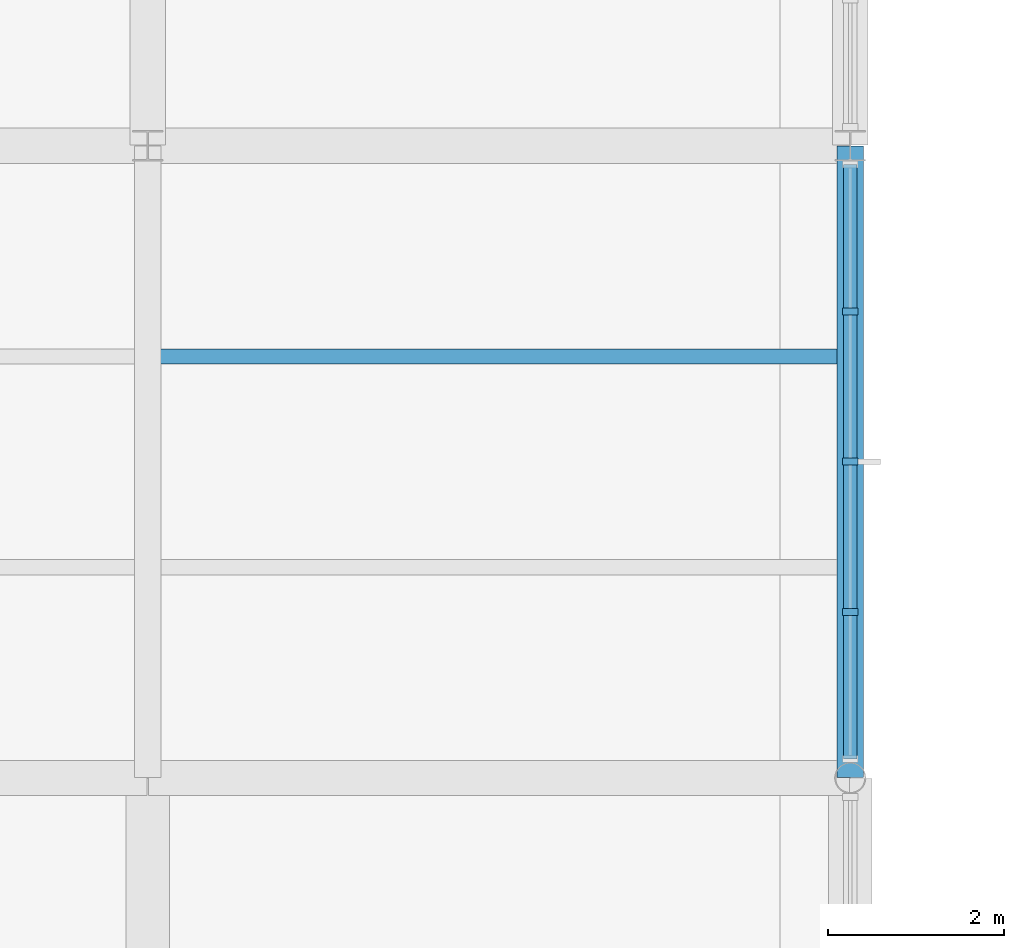
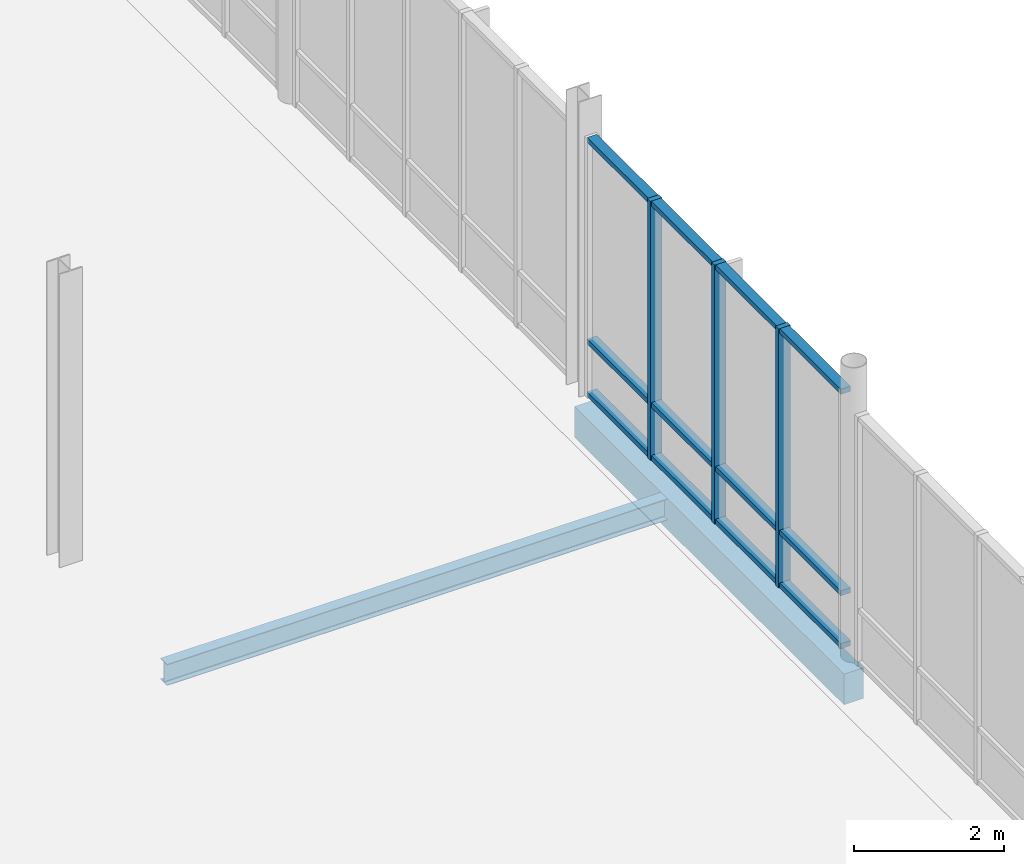
# One storey, part 25 of 82: 15 members, 2 beams, 1 element without a shape of its own.
"""IFC4 building model written with IfcOpenShell, lengths in metres."""

from ifc_helpers import new_model, si_unit, direction, frame, origin, origin_2d, place, context, subcontext, project, spatial, rectangle, i_section, extrude, material, layer, layer_set, material_profile, profile_set, type_object, element, aggregate, save


model = new_model("IFC4")

# Units and contexts
model_context = context("Model", 3, precision=1e-05, world=origin(), true_north=direction((0.0, 1.0)))
body_context = subcontext(model_context, "Body", "Model", "MODEL_VIEW")
ifc_project = project(units=[si_unit("LENGTHUNIT", "METRE"), si_unit("AREAUNIT", "SQUARE_METRE"), si_unit("VOLUMEUNIT", "CUBIC_METRE"), si_unit("PLANEANGLEUNIT", "RADIAN"), si_unit("MASSUNIT", "GRAM", prefix="KILO")], contexts=[model_context])

# Site, building, storey
site_placement = place(None, origin())
site = spatial("IfcSite", under=ifc_project, at=site_placement, CompositionType="ELEMENT")
building_placement = place(site_placement, origin())
building = spatial("IfcBuilding", under=site, at=building_placement, Name="Yukiwa Park Conservatory and Herbarium", CompositionType="ELEMENT")
storey_placement = place(building_placement, origin())
storey = spatial("IfcBuildingStorey", under=building, at=storey_placement, Name="L00", CompositionType="ELEMENT", Elevation=0.0)

# Beams
ifc_material_1 = material(Name="Steel Q355D", Category="steel")
ifc_material_profile_1 = material_profile(ifc_material_1, i_section(OverallWidth=0.174072265625, OverallDepth=0.345947265625, WebThickness=0.006103515625, FlangeThickness=0.009033203125, FilletRadius=0.013916015625, at=origin_2d()), Name="HN 346x174x6x9")
ifc_profile_set_1 = profile_set([ifc_material_profile_1], Name="Steel Q355D")
beam_type_1 = type_object("IfcBeamType", Name="BM-JST-HN346", PredefinedType="JOIST", material=ifc_profile_set_1)
beam_1_placement = place(storey_placement, frame((100.14599609375, 28.800048828125, -0.43310546875), z_axis=(1.0, 0.0, 0.0), x_axis=(0.0, 1.0, 0.0)))
element("IfcBeam", 1, at=beam_1_placement, inside=storey, type_object=beam_type_1, Name="L00 composite floor joist 170", PredefinedType="JOIST", context=body_context, shape_type="SweptSolid", body=[
    extrude(i_section(OverallWidth=0.174072265625, OverallDepth=0.345947265625, WebThickness=0.006103515625, FlangeThickness=0.009033203125, FilletRadius=0.013916015625, at=origin_2d()), origin(), (0.0, 0.0, 1.0), 7.7080078125),
])
ifc_material_2 = material(Name="Concrete C40", Category="concrete")
ifc_material_profile_2 = material_profile(ifc_material_2, rectangle(XDim=0.300048828125, YDim=0.5, at=origin_2d()), Name="RC 300x500")
ifc_profile_set_2 = profile_set([ifc_material_profile_2], Name="Concrete C40")
beam_type_2 = type_object("IfcBeamType", Name="BM-RC-300X500", PredefinedType="BEAM", material=ifc_profile_set_2)
beam_2_placement = place(storey_placement, frame((108.0, 24.006103515625, -0.510009765625), z_axis=(0.0, 1.0, 0.0), x_axis=(-1.0, 0.0, 0.0)))
element("IfcBeam", 2, at=beam_2_placement, inside=storey, type_object=beam_type_2, Name="L00 grid girder Y-264", PredefinedType="BEAM", context=body_context, shape_type="SweptSolid", body=[
    extrude(rectangle(XDim=0.300048828125, YDim=0.5, at=origin_2d()), origin(), (0.0, 0.0, 1.0), 7.18798828125),
])

# Curtain wall, members
ifc_material_3 = material(Name="Triple Low-E Insulated Glass", Category="glass")
ifc_layer = layer(ifc_material_3, 0.176025390625)
ifc_layer_set = layer_set([ifc_layer], Name="Triple Low-E Insulated Glass")
curtain_wall_type = type_object("IfcCurtainWallType", Name="CW-CONCOURSE-1600", PredefinedType="NOTDEFINED", material=ifc_layer_set)
curtain_wall_placement = place(storey_placement, origin())
curtain_wall = element("IfcCurtainWall", 3, at=curtain_wall_placement, inside=storey, type_object=curtain_wall_type, Name="L00 unitised curtain wall CW-L00-012", PredefinedType="NOTDEFINED")
ifc_material_4 = material(Name="Anodised Aluminium", Category="aluminium")
member_type_1 = type_object("IfcMemberType", Name="MB-CW-MUL-80X180", PredefinedType="MULLION", material=ifc_material_4)
member_1_placement = place(storey_placement, frame((108.0, 25.8896484375, 0.0), z_axis=(0.0, 0.0, 1.0), x_axis=(0.0, 1.0, 0.0)))
member_1 = element("IfcMember", 4, at=member_1_placement, type_object=member_type_1, Name="CW-L00-012 mullion 2", PredefinedType="MULLION", context=body_context, shape_type="SweptSolid", body=[
    extrude(rectangle(XDim=0.080078125, YDim=0.179931640625, at=origin_2d()), origin(), (0.0, 0.0, 1.0), 4.219970703125),
])
member_2_placement = place(storey_placement, frame((108.0, 27.601318359375, 0.0), z_axis=(0.0, 0.0, 1.0), x_axis=(0.0, 1.0, 0.0)))
member_2 = element("IfcMember", 5, at=member_2_placement, type_object=member_type_1, Name="CW-L00-012 mullion 3", PredefinedType="MULLION", context=body_context, shape_type="SweptSolid", body=[
    extrude(rectangle(XDim=0.080078125, YDim=0.179931640625, at=origin_2d()), origin(), (0.0, 0.0, 1.0), 4.219970703125),
])
member_3_placement = place(storey_placement, frame((108.0, 29.313232421875, 0.0), z_axis=(0.0, 0.0, 1.0), x_axis=(0.0, 1.0, 0.0)))
member_3 = element("IfcMember", 6, at=member_3_placement, type_object=member_type_1, Name="CW-L00-012 mullion 4", PredefinedType="MULLION", context=body_context, shape_type="SweptSolid", body=[
    extrude(rectangle(XDim=0.080078125, YDim=0.179931640625, at=origin_2d()), origin(), (0.0, 0.0, 1.0), 4.219970703125),
])
ifc_material_5 = material(Name="Anodised Aluminium", Category="aluminium")
member_type_2 = type_object("IfcMemberType", Name="MB-CW-TRN-80X150", PredefinedType="USERDEFINED", material=ifc_material_5)
member_4_placement = place(storey_placement, frame((108.0, 25.03369140625, 0.0), z_axis=(0.0, 0.0, 1.0), x_axis=(0.0, 1.0, 0.0)))
member_4 = element("IfcMember", 7, at=member_4_placement, type_object=member_type_2, Name="CW-L00-012 transom 1.1", ObjectType="TRANSOM", PredefinedType="USERDEFINED", context=body_context, shape_type="SweptSolid", body=[
    extrude(rectangle(XDim=1.6318359375, YDim=0.14990234375, at=origin_2d()), origin(), (0.0, 0.0, 1.0), 0.080078125),
])
member_5_placement = place(storey_placement, frame((108.0, 25.03369140625, 0.85986328125), z_axis=(0.0, 0.0, 1.0), x_axis=(0.0, 1.0, 0.0)))
member_5 = element("IfcMember", 8, at=member_5_placement, type_object=member_type_2, Name="CW-L00-012 transom 1.2", ObjectType="TRANSOM", PredefinedType="USERDEFINED", context=body_context, shape_type="SweptSolid", body=[
    extrude(rectangle(XDim=1.6318359375, YDim=0.14990234375, at=origin_2d()), origin(), (0.0, 0.0, 1.0), 0.080078125),
])
member_6_placement = place(storey_placement, frame((108.0, 25.03369140625, 4.139892578125), z_axis=(0.0, 0.0, 1.0), x_axis=(0.0, 1.0, 0.0)))
member_6 = element("IfcMember", 9, at=member_6_placement, type_object=member_type_2, Name="CW-L00-012 transom 1.3", ObjectType="TRANSOM", PredefinedType="USERDEFINED", context=body_context, shape_type="SweptSolid", body=[
    extrude(rectangle(XDim=1.6318359375, YDim=0.14990234375, at=origin_2d()), origin(), (0.0, 0.0, 1.0), 0.080078125),
])
member_7_placement = place(storey_placement, frame((108.0, 26.74560546875, 0.0), z_axis=(0.0, 0.0, 1.0), x_axis=(0.0, 1.0, 0.0)))
member_7 = element("IfcMember", 10, at=member_7_placement, type_object=member_type_2, Name="CW-L00-012 transom 2.1", ObjectType="TRANSOM", PredefinedType="USERDEFINED", context=body_context, shape_type="SweptSolid", body=[
    extrude(rectangle(XDim=1.6318359375, YDim=0.14990234375, at=origin_2d()), origin(), (0.0, 0.0, 1.0), 0.080078125),
])
member_8_placement = place(storey_placement, frame((108.0, 26.74560546875, 0.85986328125), z_axis=(0.0, 0.0, 1.0), x_axis=(0.0, 1.0, 0.0)))
member_8 = element("IfcMember", 11, at=member_8_placement, type_object=member_type_2, Name="CW-L00-012 transom 2.2", ObjectType="TRANSOM", PredefinedType="USERDEFINED", context=body_context, shape_type="SweptSolid", body=[
    extrude(rectangle(XDim=1.6318359375, YDim=0.14990234375, at=origin_2d()), origin(), (0.0, 0.0, 1.0), 0.080078125),
])
member_9_placement = place(storey_placement, frame((108.0, 26.74560546875, 4.139892578125), z_axis=(0.0, 0.0, 1.0), x_axis=(0.0, 1.0, 0.0)))
member_9 = element("IfcMember", 12, at=member_9_placement, type_object=member_type_2, Name="CW-L00-012 transom 2.3", ObjectType="TRANSOM", PredefinedType="USERDEFINED", context=body_context, shape_type="SweptSolid", body=[
    extrude(rectangle(XDim=1.6318359375, YDim=0.14990234375, at=origin_2d()), origin(), (0.0, 0.0, 1.0), 0.080078125),
])
member_10_placement = place(storey_placement, frame((108.0, 28.457275390625, 0.0), z_axis=(0.0, 0.0, 1.0), x_axis=(0.0, 1.0, 0.0)))
member_10 = element("IfcMember", 13, at=member_10_placement, type_object=member_type_2, Name="CW-L00-012 transom 3.1", ObjectType="TRANSOM", PredefinedType="USERDEFINED", context=body_context, shape_type="SweptSolid", body=[
    extrude(rectangle(XDim=1.6318359375, YDim=0.14990234375, at=origin_2d()), origin(), (0.0, 0.0, 1.0), 0.080078125),
])
member_11_placement = place(storey_placement, frame((108.0, 28.457275390625, 0.85986328125), z_axis=(0.0, 0.0, 1.0), x_axis=(0.0, 1.0, 0.0)))
member_11 = element("IfcMember", 14, at=member_11_placement, type_object=member_type_2, Name="CW-L00-012 transom 3.2", ObjectType="TRANSOM", PredefinedType="USERDEFINED", context=body_context, shape_type="SweptSolid", body=[
    extrude(rectangle(XDim=1.6318359375, YDim=0.14990234375, at=origin_2d()), origin(), (0.0, 0.0, 1.0), 0.080078125),
])
member_12_placement = place(storey_placement, frame((108.0, 28.457275390625, 4.139892578125), z_axis=(0.0, 0.0, 1.0), x_axis=(0.0, 1.0, 0.0)))
member_12 = element("IfcMember", 15, at=member_12_placement, type_object=member_type_2, Name="CW-L00-012 transom 3.3", ObjectType="TRANSOM", PredefinedType="USERDEFINED", context=body_context, shape_type="SweptSolid", body=[
    extrude(rectangle(XDim=1.6318359375, YDim=0.14990234375, at=origin_2d()), origin(), (0.0, 0.0, 1.0), 0.080078125),
])
member_13_placement = place(storey_placement, frame((108.0, 30.169189453125, 0.0), z_axis=(0.0, 0.0, 1.0), x_axis=(0.0, 1.0, 0.0)))
member_13 = element("IfcMember", 16, at=member_13_placement, type_object=member_type_2, Name="CW-L00-012 transom 4.1", ObjectType="TRANSOM", PredefinedType="USERDEFINED", context=body_context, shape_type="SweptSolid", body=[
    extrude(rectangle(XDim=1.6318359375, YDim=0.14990234375, at=origin_2d()), origin(), (0.0, 0.0, 1.0), 0.080078125),
])
member_14_placement = place(storey_placement, frame((108.0, 30.169189453125, 0.85986328125), z_axis=(0.0, 0.0, 1.0), x_axis=(0.0, 1.0, 0.0)))
member_14 = element("IfcMember", 17, at=member_14_placement, type_object=member_type_2, Name="CW-L00-012 transom 4.2", ObjectType="TRANSOM", PredefinedType="USERDEFINED", context=body_context, shape_type="SweptSolid", body=[
    extrude(rectangle(XDim=1.6318359375, YDim=0.14990234375, at=origin_2d()), origin(), (0.0, 0.0, 1.0), 0.080078125),
])
member_15_placement = place(storey_placement, frame((108.0, 30.169189453125, 4.139892578125), z_axis=(0.0, 0.0, 1.0), x_axis=(0.0, 1.0, 0.0)))
member_15 = element("IfcMember", 18, at=member_15_placement, type_object=member_type_2, Name="CW-L00-012 transom 4.3", ObjectType="TRANSOM", PredefinedType="USERDEFINED", context=body_context, shape_type="SweptSolid", body=[
    extrude(rectangle(XDim=1.6318359375, YDim=0.14990234375, at=origin_2d()), origin(), (0.0, 0.0, 1.0), 0.080078125),
])
aggregate(curtain_wall, [member_1, member_2, member_3, member_4, member_5, member_6, member_7, member_8, member_9, member_10, member_11, member_12, member_13, member_14, member_15])

save(model, "model.ifc")
